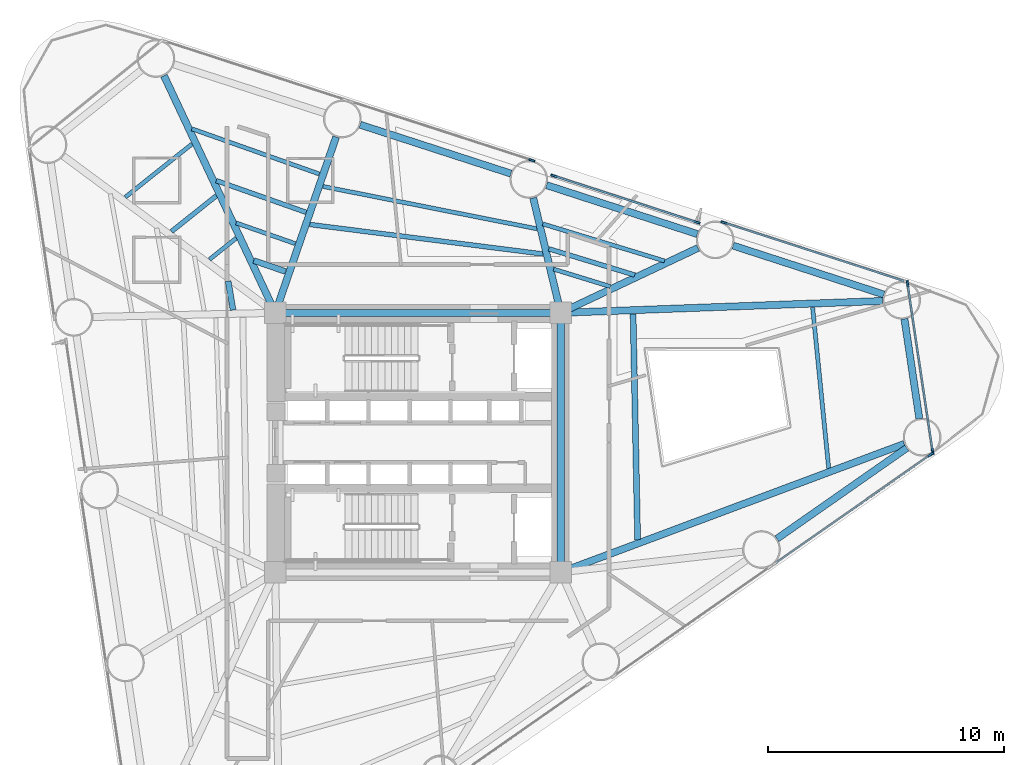
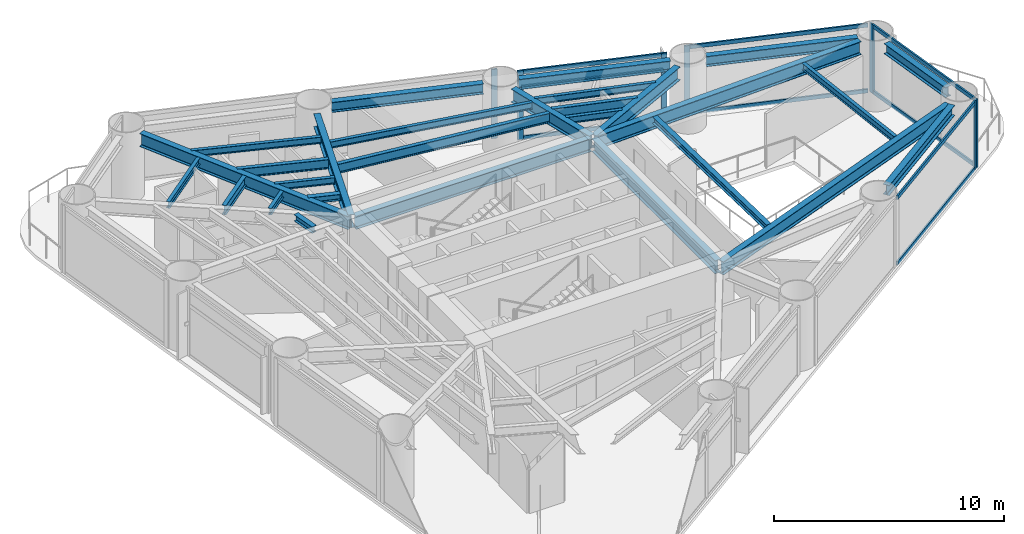
# One storey, part 3 of 9: 28 beams, 16 members, 5 elements without a shape of their own.
"""IFC4 building model written with IfcOpenShell, lengths in metres."""

from ifc_helpers import new_model, si_unit, direction, frame, origin, origin_2d, place, context, subcontext, project, spatial, rectangle, i_section, extrude, source, transform, mapped, material, layer, layer_set, material_profile, profile_set, type_object, element, aggregate, save


model = new_model("IFC4")

# Units and contexts
model_context = context("Model", 3, precision=1e-05, world=origin(), true_north=direction((0.0, 1.0)))
body_context = subcontext(model_context, "Body", "Model", "MODEL_VIEW")
ifc_project = project(units=[si_unit("LENGTHUNIT", "METRE"), si_unit("AREAUNIT", "SQUARE_METRE"), si_unit("VOLUMEUNIT", "CUBIC_METRE"), si_unit("PLANEANGLEUNIT", "RADIAN"), si_unit("MASSUNIT", "GRAM", prefix="KILO")], contexts=[model_context])

# Site, building, storey
site_placement = place(None, origin())
site = spatial("IfcSite", under=ifc_project, at=site_placement, CompositionType="ELEMENT")
building_placement = place(site_placement, origin())
building = spatial("IfcBuilding", under=site, at=building_placement, Name="Yunling Apex Tower", CompositionType="ELEMENT")
storey_placement = place(building_placement, frame((0.0, 0.0, 66.050048828125)))
storey = spatial("IfcBuildingStorey", under=building, at=storey_placement, Name="L17", CompositionType="ELEMENT", Elevation=66.050048828125)

# Beams
ifc_material_1 = material(Name="Steel Q355B", Category="steel")
ifc_material_profile_1 = material_profile(ifc_material_1, i_section(OverallWidth=0.300048828125, OverallDepth=0.699951171875, WebThickness=0.012939453125, FlangeThickness=0.02392578125, FilletRadius=0.02587890625, at=origin_2d()))
ifc_profile_set_1 = profile_set([ifc_material_profile_1], Name="Steel Q355B")
beam_type_1 = type_object("IfcBeamType", Name="BG-PRI-3", PredefinedType="USERDEFINED", material=ifc_profile_set_1)
shared_shape_1 = source(origin(), body_context, "Body", "SweptSolid", [
    extrude(i_section(OverallWidth=0.300048828125, OverallDepth=0.699951171875, WebThickness=0.012939453125, FlangeThickness=0.02392578125, FilletRadius=0.02587890625, at=origin_2d()), origin(), (0.0, 0.0, 1.0), 11.7998046875),
])
beam_1_placement = place(storey_placement, frame((5.89990234375, 5.5, 3.21484375), z_axis=(-1.0, 0.0, 0.0), x_axis=(0.0, -1.0, 0.0)))
element("IfcBeam", 1, at=beam_1_placement, inside=storey, type_object=beam_type_1, Name="L17 Core Ring Tie Beam 3", ObjectType="GIRDER", PredefinedType="USERDEFINED", context=body_context, shape_type="MappedRepresentation", body=[
    mapped(shared_shape_1, transform((0.0, 0.0, 0.0), scale=1.0)),
])
shared_shape_2 = source(origin(), body_context, "Body", "SweptSolid", [
    extrude(i_section(OverallWidth=0.300048828125, OverallDepth=0.699951171875, WebThickness=0.012939453125, FlangeThickness=0.02392578125, FilletRadius=0.02587890625, at=origin_2d()), origin(), (0.0, 0.0, 1.0), 10.7001953125),
])
beam_2_placement = place(storey_placement, frame((6.050048828125, -5.35009765625, 3.21484375), z_axis=(0.0, 1.0, 0.0), x_axis=(-1.0, 0.0, 0.0)))
element("IfcBeam", 2, at=beam_2_placement, inside=storey, type_object=beam_type_1, Name="L17 Core Ring Tie Beam 2", ObjectType="GIRDER", PredefinedType="USERDEFINED", context=body_context, shape_type="MappedRepresentation", body=[
    mapped(shared_shape_2, transform((0.0, 0.0, 0.0), scale=1.0)),
])
ifc_material_profile_2 = material_profile(ifc_material_1, i_section(OverallWidth=0.300048828125, OverallDepth=0.5400390625, WebThickness=0.011962890625, FlangeThickness=0.02001953125, FilletRadius=0.02392578125, at=origin_2d()))
ifc_profile_set_2 = profile_set([ifc_material_profile_2], Name="Steel Q355B")
beam_type_2 = type_object("IfcBeamType", Name="BP-SPN-1", PredefinedType="SPANDREL", material=ifc_profile_set_2)
shared_shape_3 = source(origin(), body_context, "Body", "SweptSolid", [
    extrude(i_section(OverallWidth=0.300048828125, OverallDepth=0.5400390625, WebThickness=0.011962890625, FlangeThickness=0.02001953125, FilletRadius=0.02392578125, at=origin_2d()), origin(), (0.0, 0.0, 1.0), 6.721435546875),
])
for number, where, z_axis, x_axis, name in (
    (3, (15.212158203125, -4.08056640625, 3.294921875), (0.81955772083, 0.572996633697, 0.0), (-0.572996633697, 0.81955772083, 0.0), "L17 Perimeter Spandrel Beam 4"),
    (4, (19.748291015625, 6.277099609375, 3.294921875), (-0.95126256707, 0.308382114415, 0.0), (-0.308382114415, -0.95126256707, 0.0), "L17 Perimeter Spandrel Beam 6"),
    (5, (3.939453125, 11.401611328125, 3.294921875), (-0.95126256707, 0.308382114415, 0.0), (-0.308382114415, -0.95126256707, 0.0), "L17 Perimeter Spandrel Beam 8"),
):
    element("IfcBeam", number, at=place(storey_placement, frame(where, z_axis=z_axis, x_axis=x_axis)), inside=storey, type_object=beam_type_2, Name=name, PredefinedType="SPANDREL", context=body_context, shape_type="MappedRepresentation", body=[
        mapped(shared_shape_3, transform((0.0, 0.0, 0.0), scale=1.0)),
    ])
shared_shape_4 = source(origin(), body_context, "Body", "SweptSolid", [
    extrude(i_section(OverallWidth=0.300048828125, OverallDepth=0.5400390625, WebThickness=0.011962890625, FlangeThickness=0.02001953125, FilletRadius=0.02392578125, at=origin_2d()), origin(), (0.0, 0.0, 1.0), 4.283203125),
])
beam_3_placement = place(storey_placement, frame((21.25390625, 1.010986328125, 3.294921875), z_axis=(-0.147802479388, 0.989016899293, 0.0), x_axis=(-0.989016899293, -0.147802479388, 0.0)))
element("IfcBeam", 6, at=beam_3_placement, inside=storey, type_object=beam_type_2, Name="L17 Perimeter Spandrel Beam 5", PredefinedType="SPANDREL", context=body_context, shape_type="MappedRepresentation", body=[
    mapped(shared_shape_4, transform((0.0, 0.0, 0.0), scale=1.0)),
])
shared_shape_5 = source(origin(), body_context, "Body", "SweptSolid", [
    extrude(i_section(OverallWidth=0.300048828125, OverallDepth=0.5400390625, WebThickness=0.011962890625, FlangeThickness=0.02001953125, FilletRadius=0.02392578125, at=origin_2d()), origin(), (0.0, 0.0, 1.0), 6.72119140625),
])
beam_4_placement = place(storey_placement, frame((11.84375, 8.83935546875, 3.294921875), z_axis=(-0.951259112593, 0.308392770197, 0.0), x_axis=(-0.308392770197, -0.951259112593, 0.0)))
element("IfcBeam", 7, at=beam_4_placement, inside=storey, type_object=beam_type_2, Name="L17 Perimeter Spandrel Beam 7", PredefinedType="SPANDREL", context=body_context, shape_type="MappedRepresentation", body=[
    mapped(shared_shape_5, transform((0.0, 0.0, 0.0), scale=1.0)),
])
shared_shape_6 = source(origin(), body_context, "Body", "SweptSolid", [
    extrude(i_section(OverallWidth=0.300048828125, OverallDepth=0.699951171875, WebThickness=0.012939453125, FlangeThickness=0.02392578125, FilletRadius=0.02587890625, at=origin_2d()), origin(), (0.0, 0.0, 1.0), 15.46826171875),
])
beam_5_placement = place(storey_placement, frame((20.614501953125, -0.05712890625, 3.21484375), z_axis=(-0.936727481876, -0.350059458804, 0.0), x_axis=(0.350059458804, -0.936727481876, 0.0)))
element("IfcBeam", 8, at=beam_5_placement, inside=storey, type_object=beam_type_1, Name="L17 Radial Primary Girder R05", ObjectType="GIRDER", PredefinedType="USERDEFINED", context=body_context, shape_type="MappedRepresentation", body=[
    mapped(shared_shape_6, transform((0.0, 0.0, 0.0), scale=1.0)),
])
shared_shape_7 = source(origin(), body_context, "Body", "SweptSolid", [
    extrude(i_section(OverallWidth=0.300048828125, OverallDepth=0.699951171875, WebThickness=0.012939453125, FlangeThickness=0.02392578125, FilletRadius=0.02587890625, at=origin_2d()), origin(), (0.0, 0.0, 1.0), 13.575439453125),
])
beam_6_placement = place(storey_placement, frame((19.696044921875, 6.002685546875, 3.21484375), z_axis=(-0.99932215556, -0.036813440575, 0.0), x_axis=(0.036813440575, -0.99932215556, 0.0)))
element("IfcBeam", 9, at=beam_6_placement, inside=storey, type_object=beam_type_1, Name="L17 Radial Primary Girder R06", ObjectType="GIRDER", PredefinedType="USERDEFINED", context=body_context, shape_type="MappedRepresentation", body=[
    mapped(shared_shape_7, transform((0.0, 0.0, 0.0), scale=1.0)),
])
shared_shape_8 = source(origin(), body_context, "Body", "SweptSolid", [
    extrude(i_section(OverallWidth=0.300048828125, OverallDepth=0.699951171875, WebThickness=0.012939453125, FlangeThickness=0.02392578125, FilletRadius=0.02587890625, at=origin_2d()), origin(), (0.0, 0.0, 1.0), 6.35546875),
])
beam_7_placement = place(storey_placement, frame((11.86865234375, 8.24951171875, 3.21484375), z_axis=(-0.90414025985, -0.427235755196, 0.0), x_axis=(0.427235755196, -0.90414025985, 0.0)))
element("IfcBeam", 10, at=beam_7_placement, inside=storey, type_object=beam_type_1, Name="L17 Radial Primary Girder R07", ObjectType="GIRDER", PredefinedType="USERDEFINED", context=body_context, shape_type="MappedRepresentation", body=[
    mapped(shared_shape_8, transform((0.0, 0.0, 0.0), scale=1.0)),
])
shared_shape_9 = source(origin(), body_context, "Body", "SweptSolid", [
    extrude(i_section(OverallWidth=0.300048828125, OverallDepth=0.699951171875, WebThickness=0.012939453125, FlangeThickness=0.02392578125, FilletRadius=0.02587890625, at=origin_2d()), origin(), (0.0, 0.0, 1.0), 4.928955078125),
])
beam_8_placement = place(storey_placement, frame((4.883056640625, 10.37109375, 3.21484375), z_axis=(0.233002001977, -0.972476255276, 0.0), x_axis=(0.972476255276, 0.233002001977, 0.0)))
element("IfcBeam", 11, at=beam_8_placement, inside=storey, type_object=beam_type_1, Name="L17 Radial Primary Girder R08", ObjectType="GIRDER", PredefinedType="USERDEFINED", context=body_context, shape_type="MappedRepresentation", body=[
    mapped(shared_shape_9, transform((0.0, 0.0, 0.0), scale=1.0)),
])
shared_shape_10 = source(origin(), body_context, "Body", "SweptSolid", [
    extrude(i_section(OverallWidth=0.300048828125, OverallDepth=0.699951171875, WebThickness=0.012939453125, FlangeThickness=0.02392578125, FilletRadius=0.02587890625, at=origin_2d()), origin(), (0.0, 0.0, 1.0), 7.807861328125),
])
beam_9_placement = place(storey_placement, frame((-3.473388671875, 12.955322265625, 3.21484375), z_axis=(-0.326658398033, -0.945142471268, 0.0), x_axis=(0.945142471268, -0.326658398033, 0.0)))
element("IfcBeam", 12, at=beam_9_placement, inside=storey, type_object=beam_type_1, Name="L17 Radial Primary Girder R09", ObjectType="GIRDER", PredefinedType="USERDEFINED", context=body_context, shape_type="MappedRepresentation", body=[
    mapped(shared_shape_10, transform((0.0, 0.0, 0.0), scale=1.0)),
])
shared_shape_11 = source(origin(), body_context, "Body", "SweptSolid", [
    extrude(i_section(OverallWidth=0.300048828125, OverallDepth=0.699951171875, WebThickness=0.012939453125, FlangeThickness=0.02392578125, FilletRadius=0.02587890625, at=origin_2d()), origin(), (0.0, 0.0, 1.0), 11.0234375),
])
beam_10_placement = place(storey_placement, frame((-10.7705078125, 15.550048828125, 3.21484375), z_axis=(0.425144169149, -0.905125646216, 0.0), x_axis=(0.905125646216, 0.425144169149, 0.0)))
element("IfcBeam", 13, at=beam_10_placement, inside=storey, type_object=beam_type_1, Name="L17 Radial Primary Girder R10", ObjectType="GIRDER", PredefinedType="USERDEFINED", context=body_context, shape_type="MappedRepresentation", body=[
    mapped(shared_shape_11, transform((0.0, 0.0, 0.0), scale=1.0)),
])
ifc_material_profile_3 = material_profile(ifc_material_1, i_section(OverallWidth=0.175048828125, OverallDepth=0.35009765625, WebThickness=0.007080078125, FlangeThickness=0.010986328125, FilletRadius=0.013916015625, at=origin_2d()))
ifc_profile_set_3 = profile_set([ifc_material_profile_3], Name="Steel Q355B")
beam_type_3 = type_object("IfcBeamType", Name="BJ-JST-1", PredefinedType="JOIST", material=ifc_profile_set_3)
shared_shape_12 = source(origin(), body_context, "Body", "SweptSolid", [
    extrude(i_section(OverallWidth=0.175048828125, OverallDepth=0.35009765625, WebThickness=0.007080078125, FlangeThickness=0.010986328125, FilletRadius=0.013916015625, at=origin_2d()), origin(), (0.0, 0.0, 1.0), 6.856689453125),
])
beam_11_placement = place(storey_placement, frame((17.410888671875, -1.089111328125, 3.389892578125), z_axis=(-0.099697612772, 0.995017781754, 0.0), x_axis=(-0.995017781754, -0.099697612772, 0.0)))
element("IfcBeam", 14, at=beam_11_placement, inside=storey, type_object=beam_type_3, Name="L17 Composite Floor Joist BJ1-5", PredefinedType="JOIST", context=body_context, shape_type="MappedRepresentation", body=[
    mapped(shared_shape_12, transform((0.0, 0.0, 0.0), scale=1.0)),
])
ifc_material_profile_4 = material_profile(ifc_material_1, i_section(OverallWidth=0.25, OverallDepth=0.340087890625, WebThickness=0.009033203125, FlangeThickness=0.013916015625, FilletRadius=0.01806640625, at=origin_2d()))
ifc_profile_set_4 = profile_set([ifc_material_profile_4], Name="Steel Q355B")
beam_type_4 = type_object("IfcBeamType", Name="BJ-JST-2", PredefinedType="JOIST", material=ifc_profile_set_4)
shared_shape_13 = source(origin(), body_context, "Body", "SweptSolid", [
    extrude(i_section(OverallWidth=0.25, OverallDepth=0.340087890625, WebThickness=0.009033203125, FlangeThickness=0.013916015625, FilletRadius=0.01806640625, at=origin_2d()), origin(), (0.0, 0.0, 1.0), 9.57568359375),
])
beam_12_placement = place(storey_placement, frame((9.309326171875, -4.120849609375, 3.39501953125), z_axis=(-0.020014350968, 0.999799692816, 0.0), x_axis=(-0.999799692816, -0.020014350968, 0.0)))
element("IfcBeam", 15, at=beam_12_placement, inside=storey, type_object=beam_type_4, Name="L17 Composite Floor Joist BJ2-5", PredefinedType="JOIST", context=body_context, shape_type="MappedRepresentation", body=[
    mapped(shared_shape_13, transform((0.0, 0.0, 0.0), scale=1.0)),
])
ifc_material_profile_5 = material_profile(ifc_material_1, i_section(OverallWidth=0.199951171875, OverallDepth=0.5, WebThickness=0.010009765625, FlangeThickness=0.01611328125, FilletRadius=0.02001953125, at=origin_2d()))
ifc_profile_set_5 = profile_set([ifc_material_profile_5], Name="Steel Q355B")
beam_type_5 = type_object("IfcBeamType", Name="BS-SEC-2", PredefinedType="BEAM", material=ifc_profile_set_5)
shared_shape_14 = source(origin(), body_context, "Body", "SweptSolid", [
    extrude(i_section(OverallWidth=0.199951171875, OverallDepth=0.5, WebThickness=0.010009765625, FlangeThickness=0.01611328125, FilletRadius=0.02001953125, at=origin_2d()), origin(), (0.0, 0.0, 1.0), 3.812255859375),
])
beam_13_placement = place(storey_placement, frame((9.187255859375, 7.1015625, 3.31494140625), z_axis=(-0.956390339833, 0.292091625819, 0.0), x_axis=(-0.292091625819, -0.956390339833, 0.0)))
element("IfcBeam", 16, at=beam_13_placement, inside=storey, type_object=beam_type_5, Name="L17 Composite Floor Beam BS-7", PredefinedType="BEAM", context=body_context, shape_type="MappedRepresentation", body=[
    mapped(shared_shape_14, transform((0.0, 0.0, 0.0), scale=1.0)),
])
shared_shape_15 = source(origin(), body_context, "Body", "SweptSolid", [
    extrude(i_section(OverallWidth=0.175048828125, OverallDepth=0.35009765625, WebThickness=0.007080078125, FlangeThickness=0.010986328125, FilletRadius=0.013916015625, at=origin_2d()), origin(), (0.0, 0.0, 1.0), 5.396484375),
])
beam_14_placement = place(storey_placement, frame((10.451416015625, 7.698486328125, 3.389892578125), z_axis=(-0.95665799, 0.291213822077, 0.0), x_axis=(-0.291213822077, -0.95665799, 0.0)))
element("IfcBeam", 17, at=beam_14_placement, inside=storey, type_object=beam_type_3, Name="L17 Composite Floor Joist BJ1-7", PredefinedType="JOIST", context=body_context, shape_type="MappedRepresentation", body=[
    mapped(shared_shape_15, transform((0.0, 0.0, 0.0), scale=1.0)),
])
shared_shape_16 = source(origin(), body_context, "Body", "SweptSolid", [
    extrude(i_section(OverallWidth=0.175048828125, OverallDepth=0.35009765625, WebThickness=0.007080078125, FlangeThickness=0.010986328125, FilletRadius=0.013916015625, at=origin_2d()), origin(), (0.0, 0.0, 1.0), 2.516357421875),
])
beam_15_placement = place(storey_placement, frame((8.153076171875, 6.613037109375, 3.389892578125), z_axis=(-0.955871264671, 0.293785849515, 0.0), x_axis=(-0.293785849515, -0.955871264671, 0.0)))
element("IfcBeam", 18, at=beam_15_placement, inside=storey, type_object=beam_type_3, Name="L17 Composite Floor Joist BJ3-7", PredefinedType="JOIST", context=body_context, shape_type="MappedRepresentation", body=[
    mapped(shared_shape_16, transform((0.0, 0.0, 0.0), scale=1.0)),
])
shared_shape_17 = source(origin(), body_context, "Body", "SweptSolid", [
    extrude(i_section(OverallWidth=0.199951171875, OverallDepth=0.5, WebThickness=0.010009765625, FlangeThickness=0.01611328125, FilletRadius=0.02001953125, at=origin_2d()), origin(), (0.0, 0.0, 1.0), 9.967529296875),
])
beam_16_placement = place(storey_placement, frame((5.298583984375, 7.994384765625, 3.31494140625), z_axis=(-0.992092895005, 0.125505727681, 0.0), x_axis=(-0.125505727681, -0.992092895005, 0.0)))
element("IfcBeam", 19, at=beam_16_placement, inside=storey, type_object=beam_type_5, Name="L17 Composite Floor Beam BS-8", PredefinedType="BEAM", context=body_context, shape_type="MappedRepresentation", body=[
    mapped(shared_shape_17, transform((0.0, 0.0, 0.0), scale=1.0)),
])
shared_shape_18 = source(origin(), body_context, "Body", "SweptSolid", [
    extrude(i_section(OverallWidth=0.175048828125, OverallDepth=0.35009765625, WebThickness=0.007080078125, FlangeThickness=0.010986328125, FilletRadius=0.013916015625, at=origin_2d()), origin(), (0.0, 0.0, 1.0), 9.254638671875),
])
beam_17_placement = place(storey_placement, frame((5.047607421875, 9.06005859375, 3.389892578125), z_axis=(-0.98094926536, 0.194264095472, 0.0), x_axis=(-0.194264095472, -0.98094926536, 0.0)))
element("IfcBeam", 20, at=beam_17_placement, inside=storey, type_object=beam_type_3, Name="L17 Composite Floor Joist BJ1-8", PredefinedType="JOIST", context=body_context, shape_type="MappedRepresentation", body=[
    mapped(shared_shape_18, transform((0.0, 0.0, 0.0), scale=1.0)),
])
shared_shape_19 = source(origin(), body_context, "Body", "SweptSolid", [
    extrude(i_section(OverallWidth=0.199951171875, OverallDepth=0.5, WebThickness=0.010009765625, FlangeThickness=0.01611328125, FilletRadius=0.02001953125, at=origin_2d()), origin(), (0.0, 0.0, 1.0), 4.04150390625),
])
beam_18_placement = place(storey_placement, frame((-4.74658203125, 9.761474609375, 3.31494140625), z_axis=(-0.942979180686, 0.332851715924, 0.0), x_axis=(-0.332851715924, -0.942979180686, 0.0)))
element("IfcBeam", 21, at=beam_18_placement, inside=storey, type_object=beam_type_5, Name="L17 Composite Floor Beam BS-9", PredefinedType="BEAM", context=body_context, shape_type="MappedRepresentation", body=[
    mapped(shared_shape_19, transform((0.0, 0.0, 0.0), scale=1.0)),
])
shared_shape_20 = source(origin(), body_context, "Body", "SweptSolid", [
    extrude(i_section(OverallWidth=0.175048828125, OverallDepth=0.35009765625, WebThickness=0.007080078125, FlangeThickness=0.010986328125, FilletRadius=0.013916015625, at=origin_2d()), origin(), (0.0, 0.0, 1.0), 5.733154296875),
])
beam_19_placement = place(storey_placement, frame((-4.185302734375, 11.38525390625, 3.389892578125), z_axis=(-0.942485311423, 0.334247569553, 0.0), x_axis=(-0.334247569553, -0.942485311423, 0.0)))
element("IfcBeam", 22, at=beam_19_placement, inside=storey, type_object=beam_type_3, Name="L17 Composite Floor Joist BJ1-9", PredefinedType="JOIST", context=body_context, shape_type="MappedRepresentation", body=[
    mapped(shared_shape_20, transform((0.0, 0.0, 0.0), scale=1.0)),
])
shared_shape_21 = source(origin(), body_context, "Body", "SweptSolid", [
    extrude(i_section(OverallWidth=0.175048828125, OverallDepth=0.35009765625, WebThickness=0.007080078125, FlangeThickness=0.010986328125, FilletRadius=0.013916015625, at=origin_2d()), origin(), (0.0, 0.0, 1.0), 2.657470703125),
])
beam_20_placement = place(storey_placement, frame((-5.205810546875, 8.432861328125, 3.389892578125), z_axis=(-0.943816811427, 0.330469100623, 0.0), x_axis=(-0.330469100623, -0.943816811427, 0.0)))
element("IfcBeam", 23, at=beam_20_placement, inside=storey, type_object=beam_type_3, Name="L17 Composite Floor Joist BJ3-9", PredefinedType="JOIST", context=body_context, shape_type="MappedRepresentation", body=[
    mapped(shared_shape_21, transform((0.0, 0.0, 0.0), scale=1.0)),
])
shared_shape_22 = source(origin(), body_context, "Body", "SweptSolid", [
    extrude(i_section(OverallWidth=0.25, OverallDepth=0.340087890625, WebThickness=0.009033203125, FlangeThickness=0.013916015625, FilletRadius=0.01806640625, at=origin_2d()), origin(), (0.0, 0.0, 1.0), 1.42724609375),
])
beam_21_placement = place(storey_placement, frame((-5.614013671875, 7.251220703125, 3.39501953125), z_axis=(-0.94564715029, 0.325194506639, 0.0), x_axis=(-0.325194506639, -0.94564715029, 0.0)))
element("IfcBeam", 24, at=beam_21_placement, inside=storey, type_object=beam_type_4, Name="L17 Composite Floor Joist BJ2-9", PredefinedType="JOIST", context=body_context, shape_type="MappedRepresentation", body=[
    mapped(shared_shape_22, transform((0.0, 0.0, 0.0), scale=1.0)),
])
shared_shape_23 = source(origin(), body_context, "Body", "SweptSolid", [
    extrude(i_section(OverallWidth=0.199951171875, OverallDepth=0.5, WebThickness=0.010009765625, FlangeThickness=0.01611328125, FilletRadius=0.02001953125, at=origin_2d()), origin(), (0.0, 0.0, 1.0), 2.4287109375),
])
beam_22_placement = place(storey_placement, frame((-8.552490234375, 10.46142578125, 3.31494140625), z_axis=(-0.782093234133, -0.62316143424, 0.0), x_axis=(0.62316143424, -0.782093234133, 0.0)))
element("IfcBeam", 25, at=beam_22_placement, inside=storey, type_object=beam_type_5, Name="L17 Composite Floor Beam BS-10", PredefinedType="BEAM", context=body_context, shape_type="MappedRepresentation", body=[
    mapped(shared_shape_23, transform((0.0, 0.0, 0.0), scale=1.0)),
])
shared_shape_24 = source(origin(), body_context, "Body", "SweptSolid", [
    extrude(i_section(OverallWidth=0.175048828125, OverallDepth=0.35009765625, WebThickness=0.007080078125, FlangeThickness=0.010986328125, FilletRadius=0.013916015625, at=origin_2d()), origin(), (0.0, 0.0, 1.0), 3.62060546875),
])
beam_23_placement = place(storey_placement, frame((-9.58349609375, 12.656494140625, 3.389892578125), z_axis=(-0.782123735438, -0.623123151925, 0.0), x_axis=(0.623123151925, -0.782123735438, 0.0)))
element("IfcBeam", 26, at=beam_23_placement, inside=storey, type_object=beam_type_3, Name="L17 Composite Floor Joist BJ1-10", PredefinedType="JOIST", context=body_context, shape_type="MappedRepresentation", body=[
    mapped(shared_shape_24, transform((0.0, 0.0, 0.0), scale=1.0)),
])
shared_shape_25 = source(origin(), body_context, "Body", "SweptSolid", [
    extrude(i_section(OverallWidth=0.175048828125, OverallDepth=0.35009765625, WebThickness=0.007080078125, FlangeThickness=0.010986328125, FilletRadius=0.013916015625, at=origin_2d()), origin(), (0.0, 0.0, 1.0), 1.453369140625),
])
beam_24_placement = place(storey_placement, frame((-7.708740234375, 8.66552734375, 3.389892578125), z_axis=(-0.78201477261, -0.62325989396, 0.0), x_axis=(0.62325989396, -0.78201477261, 0.0)))
element("IfcBeam", 27, at=beam_24_placement, inside=storey, type_object=beam_type_3, Name="L17 Composite Floor Joist BJ3-10", PredefinedType="JOIST", context=body_context, shape_type="MappedRepresentation", body=[
    mapped(shared_shape_25, transform((0.0, 0.0, 0.0), scale=1.0)),
])
shared_shape_26 = source(origin(), body_context, "Body", "SweptSolid", [
    extrude(i_section(OverallWidth=0.25, OverallDepth=0.340087890625, WebThickness=0.009033203125, FlangeThickness=0.013916015625, FilletRadius=0.01806640625, at=origin_2d()), origin(), (0.0, 0.0, 1.0), 1.242431640625),
])
beam_25_placement = place(storey_placement, frame((-8.05078125, 6.84228515625, 3.39501953125), z_axis=(0.168412893697, -0.985716540004, 0.0), x_axis=(0.985716540004, 0.168412893697, 0.0)))
element("IfcBeam", 28, at=beam_25_placement, inside=storey, type_object=beam_type_4, Name="L17 Composite Floor Joist BJ2-11", PredefinedType="JOIST", context=body_context, shape_type="MappedRepresentation", body=[
    mapped(shared_shape_26, transform((0.0, 0.0, 0.0), scale=1.0)),
])

# Curtain wall, member
ifc_material_2 = material(Name="Bronze anodised aluminium", Category="aluminium")
ifc_layer = layer(ifc_material_2, 0.260009765625)
ifc_layer_set = layer_set([ifc_layer], Name="Bronze anodised aluminium")
curtain_wall_type = type_object("IfcCurtainWallType", Name="CW-SYS-2", PredefinedType="NOTDEFINED", material=ifc_layer_set)
curtain_wall_1_placement = place(storey_placement, origin())
curtain_wall_1 = element("IfcCurtainWall", 29, at=curtain_wall_1_placement, inside=storey, type_object=curtain_wall_type, Name="CW-L17-F1-B4", PredefinedType="NOTDEFINED")
ifc_material_profile_6 = material_profile(ifc_material_2, rectangle(XDim=0.0849609375, YDim=0.260009765625, at=origin_2d()))
ifc_profile_set_6 = profile_set([ifc_material_profile_6], Name="Bronze anodised aluminium")
member_type_1 = type_object("IfcMemberType", Name="CW-MUL-2", PredefinedType="MULLION", material=ifc_profile_set_6)
shared_shape_27 = source(origin(), body_context, "Body", "SweptSolid", [
    extrude(rectangle(XDim=0.0849609375, YDim=0.260009765625, at=origin_2d()), origin(), (0.0, 0.0, 1.0), 3.6650390625),
])
member_1_placement = place(storey_placement, frame((21.735107421875, -0.50830078125, -0.050048828125), z_axis=(0.0, 0.0, 1.0), x_axis=(-0.573004358875, 0.819552319691, 0.0)))
member_1 = element("IfcMember", 30, at=member_1_placement, type_object=member_type_1, Name="CW-SYS-2 mullion 2", PredefinedType="MULLION", context=body_context, shape_type="MappedRepresentation", body=[
    mapped(shared_shape_27, transform((0.0, 0.0, 0.0), scale=1.0)),
])

# Curtain wall, members
curtain_wall_2_placement = place(storey_placement, origin())
curtain_wall_2 = element("IfcCurtainWall", 31, at=curtain_wall_2_placement, inside=storey, type_object=curtain_wall_type, Name="CW-L17-CRN1", PredefinedType="NOTDEFINED")
member_2_placement = place(storey_placement, frame((21.817626953125, -0.379638671875, -0.050048828125), z_axis=(0.0, 0.0, 1.0), x_axis=(-0.989017551472, -0.147798115278, 0.0)))
member_2 = element("IfcMember", 32, at=member_2_placement, type_object=member_type_1, Name="CW-SYS-2 mullion 1", PredefinedType="MULLION", context=body_context, shape_type="MappedRepresentation", body=[
    mapped(shared_shape_27, transform((0.0, 0.0, 0.0), scale=1.0)),
])
member_3_placement = place(storey_placement, frame((20.75341796875, 6.741943359375, -0.050048828125), z_axis=(0.0, 0.0, 1.0), x_axis=(-0.989017551472, -0.147798115278, 0.0)))
member_3 = element("IfcMember", 33, at=member_3_placement, type_object=member_type_1, Name="CW-SYS-2 mullion 2", PredefinedType="MULLION", context=body_context, shape_type="MappedRepresentation", body=[
    mapped(shared_shape_27, transform((0.0, 0.0, 0.0), scale=1.0)),
])

# Curtain wall, member
curtain_wall_3_placement = place(storey_placement, origin())
curtain_wall_3 = element("IfcCurtainWall", 34, at=curtain_wall_3_placement, inside=storey, type_object=curtain_wall_type, Name="CW-L17-F2-B1", PredefinedType="NOTDEFINED")
member_4_placement = place(storey_placement, frame((12.96533203125, 9.327392578125, -0.050048828125), z_axis=(0.0, 0.0, 1.0), x_axis=(-0.30835735341, -0.951270593784, 0.0)))
member_4 = element("IfcMember", 35, at=member_4_placement, type_object=member_type_1, Name="CW-SYS-2 mullion 2", PredefinedType="MULLION", context=body_context, shape_type="MappedRepresentation", body=[
    mapped(shared_shape_27, transform((0.0, 0.0, 0.0), scale=1.0)),
])

# Curtain wall, members
curtain_wall_4_placement = place(storey_placement, origin())
curtain_wall_4 = element("IfcCurtainWall", 36, at=curtain_wall_4_placement, inside=storey, type_object=curtain_wall_type, Name="CW-L17-F2-B2", PredefinedType="NOTDEFINED")
member_5_placement = place(storey_placement, frame((11.828369140625, 9.338623046875, -0.050048828125), z_axis=(0.0, 0.0, 1.0), x_axis=(-0.308351975608, -0.951272336999, 0.0)))
member_5 = element("IfcMember", 37, at=member_5_placement, type_object=member_type_1, Name="CW-SYS-2 mullion 1", PredefinedType="MULLION", context=body_context, shape_type="MappedRepresentation", body=[
    mapped(shared_shape_27, transform((0.0, 0.0, 0.0), scale=1.0)),
])
member_6_placement = place(storey_placement, frame((5.75537109375, 11.30712890625, -0.050048828125), z_axis=(0.0, 0.0, 1.0), x_axis=(-0.308351975608, -0.951272336999, 0.0)))
member_6 = element("IfcMember", 38, at=member_6_placement, type_object=member_type_1, Name="CW-SYS-2 mullion 2", PredefinedType="MULLION", context=body_context, shape_type="MappedRepresentation", body=[
    mapped(shared_shape_27, transform((0.0, 0.0, 0.0), scale=1.0)),
])

# Curtain wall, member
curtain_wall_5_placement = place(storey_placement, origin())
curtain_wall_5 = element("IfcCurtainWall", 39, at=curtain_wall_5_placement, inside=storey, type_object=curtain_wall_type, Name="CW-L17-F2-B3", PredefinedType="NOTDEFINED")
member_7_placement = place(storey_placement, frame((4.827880859375, 11.965087890625, -0.050048828125), z_axis=(0.0, 0.0, 1.0), x_axis=(-0.308368457544, -0.951266994272, 0.0)))
member_7 = element("IfcMember", 40, at=member_7_placement, type_object=member_type_1, Name="CW-SYS-2 mullion 1", PredefinedType="MULLION", context=body_context, shape_type="MappedRepresentation", body=[
    mapped(shared_shape_27, transform((0.0, 0.0, 0.0), scale=1.0)),
])
aggregate(curtain_wall_5, [member_7])

# Member
ifc_material_profile_7 = material_profile(ifc_material_2, rectangle(XDim=0.0849609375, YDim=0.199951171875, at=origin_2d()))
ifc_profile_set_7 = profile_set([ifc_material_profile_7], Name="Bronze anodised aluminium")
member_type_2 = type_object("IfcMemberType", Name="CW-TRN-2", PredefinedType="USERDEFINED", material=ifc_profile_set_7)
shared_shape_28 = source(origin(), body_context, "Body", "SweptSolid", [
    extrude(rectangle(XDim=0.0849609375, YDim=0.199951171875, at=origin_2d()), origin(), (0.0, 0.0, 1.0), 6.3076171875),
])
member_8_placement = place(storey_placement, frame((11.7919921875, 9.350341796875, 0.04248046875), z_axis=(-0.951267321757, 0.308367447306, 0.0), x_axis=(-0.308367447306, -0.951267321757, 0.0)))
member_8 = element("IfcMember", 41, at=member_8_placement, type_object=member_type_2, Name="CW-SYS-2 transom 1.1", ObjectType="TRANSOM", PredefinedType="USERDEFINED", context=body_context, shape_type="MappedRepresentation", body=[
    mapped(shared_shape_28, transform((0.0, 0.0, 0.0), scale=1.0)),
])

member_9_placement = place(storey_placement, frame((11.7919921875, 9.350341796875, 2.71484375), z_axis=(-0.951267321757, 0.308367447306, 0.0), x_axis=(-0.308367447306, -0.951267321757, 0.0)))
member_9 = element("IfcMember", 42, at=member_9_placement, type_object=member_type_2, Name="CW-SYS-2 transom 1.2", ObjectType="TRANSOM", PredefinedType="USERDEFINED", context=body_context, shape_type="MappedRepresentation", body=[
    mapped(shared_shape_28, transform((0.0, 0.0, 0.0), scale=1.0)),
])

member_10_placement = place(storey_placement, frame((11.7919921875, 9.350341796875, 3.5224609375), z_axis=(-0.951267321757, 0.308367447306, 0.0), x_axis=(-0.308367447306, -0.951267321757, 0.0)))
member_10 = element("IfcMember", 43, at=member_10_placement, type_object=member_type_2, Name="CW-SYS-2 transom 1.3", ObjectType="TRANSOM", PredefinedType="USERDEFINED", context=body_context, shape_type="MappedRepresentation", body=[
    mapped(shared_shape_28, transform((0.0, 0.0, 0.0), scale=1.0)),
])

aggregate(curtain_wall_4, [member_5, member_6, member_8, member_9, member_10])

shared_shape_29 = source(origin(), body_context, "Body", "SweptSolid", [
    extrude(rectangle(XDim=0.0849609375, YDim=0.199951171875, at=origin_2d()), origin(), (0.0, 0.0, 1.0), 7.98779296875),
])
member_11_placement = place(storey_placement, frame((15.1572265625, -5.107177734375, 0.04248046875), z_axis=(0.819559176955, 0.572994550995, 0.0), x_axis=(-0.572994550995, 0.819559176955, 0.0)))
member_11 = element("IfcMember", 44, at=member_11_placement, type_object=member_type_2, Name="CW-SYS-2 transom 1.1", ObjectType="TRANSOM", PredefinedType="USERDEFINED", context=body_context, shape_type="MappedRepresentation", body=[
    mapped(shared_shape_29, transform((0.0, 0.0, 0.0), scale=1.0)),
])

member_12_placement = place(storey_placement, frame((15.1572265625, -5.107177734375, 3.5224609375), z_axis=(0.819559176955, 0.572994550995, 0.0), x_axis=(-0.572994550995, 0.819559176955, 0.0)))
member_12 = element("IfcMember", 45, at=member_12_placement, type_object=member_type_2, Name="CW-SYS-2 transom 1.2", ObjectType="TRANSOM", PredefinedType="USERDEFINED", context=body_context, shape_type="MappedRepresentation", body=[
    mapped(shared_shape_29, transform((0.0, 0.0, 0.0), scale=1.0)),
])

aggregate(curtain_wall_1, [member_1, member_11, member_12])

member_13_placement = place(storey_placement, frame((20.600341796875, 6.8525390625, 0.04248046875), z_axis=(-0.951270077756, 0.308358945331, 0.0), x_axis=(-0.308358945331, -0.951270077756, 0.0)))
member_13 = element("IfcMember", 46, at=member_13_placement, type_object=member_type_2, Name="CW-SYS-2 transom 1.1", ObjectType="TRANSOM", PredefinedType="USERDEFINED", context=body_context, shape_type="MappedRepresentation", body=[
    mapped(shared_shape_29, transform((0.0, 0.0, 0.0), scale=1.0)),
])

member_14_placement = place(storey_placement, frame((20.600341796875, 6.8525390625, 3.5224609375), z_axis=(-0.951270077756, 0.308358945331, 0.0), x_axis=(-0.308358945331, -0.951270077756, 0.0)))
member_14 = element("IfcMember", 47, at=member_14_placement, type_object=member_type_2, Name="CW-SYS-2 transom 1.2", ObjectType="TRANSOM", PredefinedType="USERDEFINED", context=body_context, shape_type="MappedRepresentation", body=[
    mapped(shared_shape_29, transform((0.0, 0.0, 0.0), scale=1.0)),
])

aggregate(curtain_wall_3, [member_4, member_13, member_14])

shared_shape_30 = source(origin(), body_context, "Body", "SweptSolid", [
    extrude(rectangle(XDim=0.0849609375, YDim=0.199951171875, at=origin_2d()), origin(), (0.0, 0.0, 1.0), 7.1240234375),
])
member_15_placement = place(storey_placement, frame((21.81201171875, -0.341796875, 0.04248046875), z_axis=(-0.147804185278, 0.989016644357, 0.0), x_axis=(-0.989016644357, -0.147804185278, 0.0)))
member_15 = element("IfcMember", 48, at=member_15_placement, type_object=member_type_2, Name="CW-SYS-2 transom 1.1", ObjectType="TRANSOM", PredefinedType="USERDEFINED", context=body_context, shape_type="MappedRepresentation", body=[
    mapped(shared_shape_30, transform((0.0, 0.0, 0.0), scale=1.0)),
])

member_16_placement = place(storey_placement, frame((21.81201171875, -0.341796875, 3.5224609375), z_axis=(-0.147804185278, 0.989016644357, 0.0), x_axis=(-0.989016644357, -0.147804185278, 0.0)))
member_16 = element("IfcMember", 49, at=member_16_placement, type_object=member_type_2, Name="CW-SYS-2 transom 1.2", ObjectType="TRANSOM", PredefinedType="USERDEFINED", context=body_context, shape_type="MappedRepresentation", body=[
    mapped(shared_shape_30, transform((0.0, 0.0, 0.0), scale=1.0)),
])

aggregate(curtain_wall_2, [member_2, member_3, member_15, member_16])

save(model, "model.ifc")
